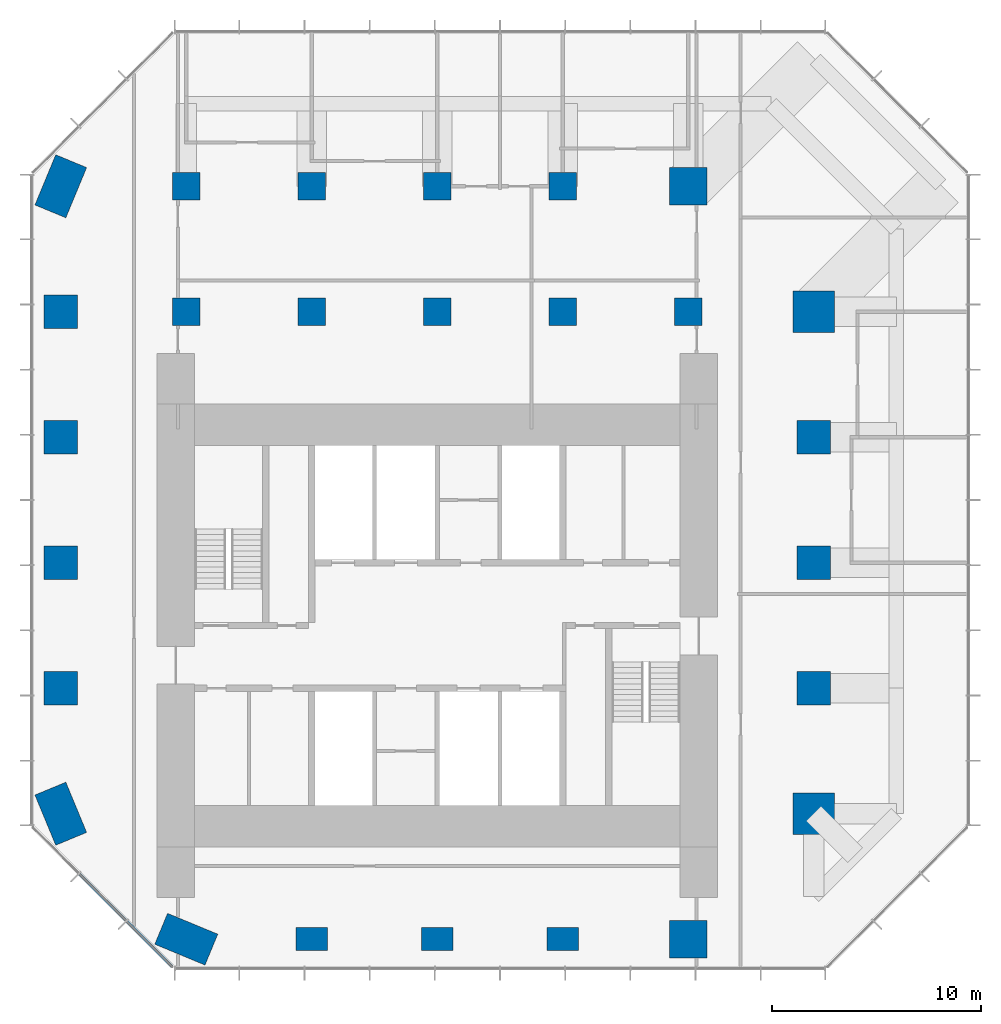
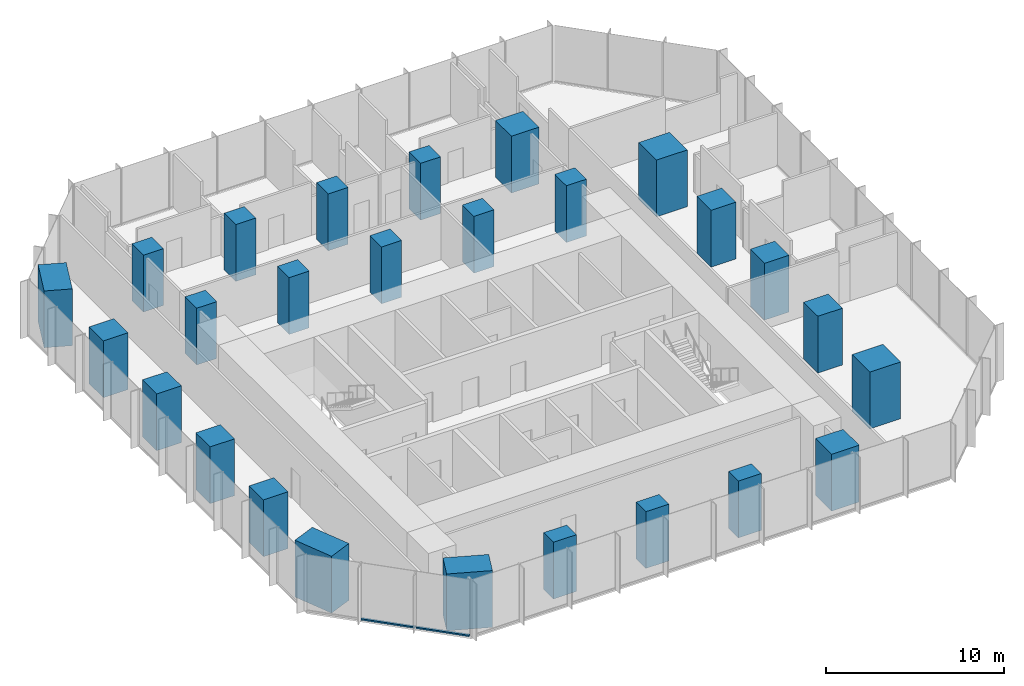
# One storey, part 1 of 11: 26 columns, 2 members, 1 element without a shape of its own.
"""IFC4 building model written with IfcOpenShell, lengths in metres."""

from ifc_helpers import new_model, si_unit, direction, frame, origin, origin_2d, place, context, subcontext, project, spatial, rectangle, extrude, material, layer, layer_set, material_profile, profile_set, type_object, element, aggregate, save


model = new_model("IFC4")

# Units and contexts
model_context = context("Model", 3, precision=1e-05, world=origin(), true_north=direction((0.0, 1.0)))
body_context = subcontext(model_context, "Body", "Model", "MODEL_VIEW")
ifc_project = project(units=[si_unit("LENGTHUNIT", "METRE"), si_unit("AREAUNIT", "SQUARE_METRE"), si_unit("VOLUMEUNIT", "CUBIC_METRE"), si_unit("PLANEANGLEUNIT", "RADIAN"), si_unit("MASSUNIT", "GRAM", prefix="KILO")], contexts=[model_context])

# Site, building, storey
site_placement = place(None, origin())
site = spatial("IfcSite", under=ifc_project, at=site_placement, CompositionType="ELEMENT")
building_placement = place(site_placement, origin())
building = spatial("IfcBuilding", under=site, at=building_placement, Name="Highveld Stack Headquarters", CompositionType="ELEMENT")
storey_placement = place(building_placement, frame((0.0, 0.0, 181.10009765625)))
storey = spatial("IfcBuildingStorey", under=building, at=storey_placement, Name="L44", CompositionType="ELEMENT", Elevation=181.10009765625)

# Columns
ifc_material_1 = material(Name="Concrete C60/75", Category="concrete")
ifc_material_profile_1 = material_profile(ifc_material_1, rectangle(XDim=1.300048828125, YDim=1.300048828125, at=origin_2d()), Name="RC 1300x1300")
ifc_profile_set_1 = profile_set([ifc_material_profile_1], Name="Concrete C60/75")
column_type_1 = type_object("IfcColumnType", Name="COLUMN RC 1300x1300 C60/75", PredefinedType="COLUMN", material=ifc_profile_set_1)
for number, where, z_axis, x_axis, name in (
    (1, (-6.0, 18.0, 0.0), (0.0, 0.0, 1.0), (1.0, 0.0, 0.0), "Column 5/H L44"),
    (2, (-6.0, 24.0, 0.0), (0.0, 0.0, 1.0), (1.0, 0.0, 0.0), "Column 5/J L44"),
    (3, (0.0, 18.0, 0.0), (0.0, 0.0, 1.0), (1.0, 0.0, 0.0), "Column 6/H L44"),
    (4, (0.0, 24.0, 0.0), (0.0, 0.0, 1.0), (1.0, 0.0, 0.0), "Column 6/J L44"),
    (5, (6.0, 18.0, 0.0), (0.0, 0.0, 1.0), (1.0, 0.0, 0.0), "Column 7/H L44"),
    (6, (6.0, 24.0, 0.0), (0.0, 0.0, 1.0), (1.0, 0.0, 0.0), "Column 7/J L44"),
    (7, (12.0, 18.0, 0.0), (0.0, 0.0, 1.0), (1.0, 0.0, 0.0), "Column 8/H L44"),
    (8, (12.0, 24.0, 0.0), (0.0, 0.0, 1.0), (1.0, 0.0, 0.0), "Column 8/J L44"),
    (9, (18.0, 18.0, 0.0), (0.0, 0.0, 1.0), (1.0, 0.0, 0.0), "Column 9/H L44"),
):
    element("IfcColumn", number, at=place(storey_placement, frame(where, z_axis=z_axis, x_axis=x_axis)), inside=storey, type_object=column_type_1, Name=name, PredefinedType="COLUMN", context=body_context, shape_type="SweptSolid", body=[
        extrude(rectangle(XDim=1.300048828125, YDim=1.300048828125, at=origin_2d()), origin(), (0.0, 0.0, 1.0), 3.89990234375),
    ])
ifc_material_2 = material(Name="Concrete C60/75", Category="concrete")
ifc_material_profile_2 = material_profile(ifc_material_2, rectangle(XDim=1.5, YDim=1.10009765625, at=origin_2d()), Name="RC 1500x1100")
ifc_profile_set_2 = profile_set([ifc_material_profile_2], Name="Concrete C60/75")
column_type_2 = type_object("IfcColumnType", Name="COLUMN RC 1500x1100 C60/75", PredefinedType="COLUMN", material=ifc_profile_set_2)
for number, where, z_axis, x_axis, name in (
    (10, (0.0, -12.0, 0.0), (0.0, 0.0, 1.0), (1.0, 0.0, 0.0), "Column 6/C L44"),
    (11, (6.0, -12.0, 0.0), (0.0, 0.0, 1.0), (1.0, 0.0, 0.0), "Column 7/C L44"),
    (12, (12.0, -12.0, 0.0), (0.0, 0.0, 1.0), (1.0, 0.0, 0.0), "Column 8/C L44"),
):
    element("IfcColumn", number, at=place(storey_placement, frame(where, z_axis=z_axis, x_axis=x_axis)), inside=storey, type_object=column_type_2, Name=name, PredefinedType="COLUMN", context=body_context, shape_type="SweptSolid", body=[
        extrude(rectangle(XDim=1.5, YDim=1.10009765625, at=origin_2d()), origin(), (0.0, 0.0, 1.0), 3.89990234375),
    ])
ifc_material_3 = material(Name="Concrete C60/75", Category="concrete")
ifc_material_profile_3 = material_profile(ifc_material_3, rectangle(XDim=1.60009765625, YDim=1.60009765625, at=origin_2d()), Name="RC 1600x1600")
ifc_profile_set_3 = profile_set([ifc_material_profile_3], Name="Concrete C60/75")
column_type_3 = type_object("IfcColumnType", Name="COLUMN RC 1600x1600 C60/75", PredefinedType="COLUMN", material=ifc_profile_set_3)
for number, where, z_axis, x_axis, name in (
    (13, (-12.0, 0.0, 0.0), (0.0, 0.0, 1.0), (1.0, 0.0, 0.0), "Column 4/E L44"),
    (14, (-12.0, 6.0, 0.0), (0.0, 0.0, 1.0), (1.0, 0.0, 0.0), "Column 4/F L44"),
    (15, (-12.0, 12.0, 0.0), (0.0, 0.0, 1.0), (1.0, 0.0, 0.0), "Column 4/G L44"),
    (16, (-12.0, 18.0, 0.0), (0.0, 0.0, 1.0), (1.0, 0.0, 0.0), "Column 4/H L44"),
    (17, (24.0, 0.0, 0.0), (0.0, 0.0, 1.0), (1.0, 0.0, 0.0), "Column 10/E L44"),
    (18, (24.0, 6.0, 0.0), (0.0, 0.0, 1.0), (1.0, 0.0, 0.0), "Column 10/F L44"),
    (19, (24.0, 12.0, 0.0), (0.0, 0.0, 1.0), (1.0, 0.0, 0.0), "Column 10/G L44"),
):
    element("IfcColumn", number, at=place(storey_placement, frame(where, z_axis=z_axis, x_axis=x_axis)), inside=storey, type_object=column_type_3, Name=name, PredefinedType="COLUMN", context=body_context, shape_type="SweptSolid", body=[
        extrude(rectangle(XDim=1.60009765625, YDim=1.60009765625, at=origin_2d()), origin(), (0.0, 0.0, 1.0), 3.89990234375),
    ])
ifc_material_4 = material(Name="Concrete C60/75", Category="concrete")
ifc_material_profile_4 = material_profile(ifc_material_4, rectangle(XDim=1.800048828125, YDim=1.800048828125, at=origin_2d()), Name="RC 1800x1800")
ifc_profile_set_4 = profile_set([ifc_material_profile_4], Name="Concrete C60/75")
column_type_4 = type_object("IfcColumnType", Name="COLUMN RC 1800x1800 C60/75", PredefinedType="COLUMN", material=ifc_profile_set_4)
for number, where, z_axis, x_axis, name in (
    (20, (18.0, -12.0, 0.0), (0.0, 0.0, 1.0), (1.0, 0.0, 0.0), "Column 9/C L44"),
    (21, (18.0, 24.0, 0.0), (0.0, 0.0, 1.0), (1.0, 0.0, 0.0), "Column 9/J L44"),
):
    element("IfcColumn", number, at=place(storey_placement, frame(where, z_axis=z_axis, x_axis=x_axis)), inside=storey, type_object=column_type_4, Name=name, PredefinedType="COLUMN", context=body_context, shape_type="SweptSolid", body=[
        extrude(rectangle(XDim=1.800048828125, YDim=1.800048828125, at=origin_2d()), origin(), (0.0, 0.0, 1.0), 3.89990234375),
    ])
ifc_material_5 = material(Name="Concrete C60/75", Category="concrete")
ifc_material_profile_5 = material_profile(ifc_material_5, rectangle(XDim=2.0, YDim=2.0, at=origin_2d()), Name="RC 2000x2000")
ifc_profile_set_5 = profile_set([ifc_material_profile_5], Name="Concrete C60/75")
column_type_5 = type_object("IfcColumnType", Name="COLUMN RC 2000x2000 C60/75", PredefinedType="COLUMN", material=ifc_profile_set_5)
for number, where, z_axis, x_axis, name in (
    (22, (24.0, -6.0, 0.0), (0.0, 0.0, 1.0), (1.0, 0.0, 0.0), "Column 10/D L44"),
    (23, (24.0, 18.0, 0.0), (0.0, 0.0, 1.0), (1.0, 0.0, 0.0), "Column 10/H L44"),
):
    element("IfcColumn", number, at=place(storey_placement, frame(where, z_axis=z_axis, x_axis=x_axis)), inside=storey, type_object=column_type_5, Name=name, PredefinedType="COLUMN", context=body_context, shape_type="SweptSolid", body=[
        extrude(rectangle(XDim=2.0, YDim=2.0, at=origin_2d()), origin(), (0.0, 0.0, 1.0), 3.89990234375),
    ])
ifc_material_6 = material(Name="Concrete C60/75", Category="concrete")
ifc_material_profile_6 = material_profile(ifc_material_6, rectangle(XDim=2.60009765625, YDim=1.60009765625, at=origin_2d()), Name="RC 2600x1600")
ifc_profile_set_6 = profile_set([ifc_material_profile_6], Name="Concrete C60/75")
column_type_6 = type_object("IfcColumnType", Name="COLUMN RC 2600x1600 C60/75", PredefinedType="COLUMN", material=ifc_profile_set_6)
for number, where, z_axis, x_axis, name in (
    (24, (-12.0, -6.0, 0.0), (0.0, 0.0, 1.0), (-0.382683432365, 0.923879532511, 0.0), "Column 4/D L44"),
    (25, (-12.0, 24.0, 0.0), (0.0, 0.0, 1.0), (0.382683432365, 0.923879532511, 0.0), "Column 4/J L44"),
    (26, (-6.0, -12.0, 0.0), (0.0, 0.0, 1.0), (-0.923879532511, 0.382683432365, 0.0), "Column 5/C L44"),
):
    element("IfcColumn", number, at=place(storey_placement, frame(where, z_axis=z_axis, x_axis=x_axis)), inside=storey, type_object=column_type_6, Name=name, PredefinedType="COLUMN", context=body_context, shape_type="SweptSolid", body=[
        extrude(rectangle(XDim=2.60009765625, YDim=1.60009765625, at=origin_2d()), origin(), (0.0, 0.0, 1.0), 3.89990234375),
    ])

# Curtain wall, members
ifc_material_7 = material(Name="Aluminium bronze anodised", Category="aluminium")
ifc_layer = layer(ifc_material_7, 0.199951171875)
ifc_layer_set = layer_set([ifc_layer], Name="Aluminium bronze anodised")
curtain_wall_type = type_object("IfcCurtainWallType", Name="CW2 TOWER CHAMFER UNITISED CURTAIN WALL", PredefinedType="NOTDEFINED", material=ifc_layer_set)
curtain_wall_placement = place(storey_placement, origin())
curtain_wall = element("IfcCurtainWall", 27, at=curtain_wall_placement, inside=storey, type_object=curtain_wall_type, Name="Curtain wall CW2 L44 SW", PredefinedType="NOTDEFINED")
ifc_material_8 = material(Name="Aluminium bronze anodised", Category="aluminium")
ifc_material_profile_7 = material_profile(ifc_material_8, rectangle(XDim=0.14990234375, YDim=0.10009765625, at=origin_2d()), Name="CW2 TRANSOM 150x100")
ifc_profile_set_7 = profile_set([ifc_material_profile_7], Name="Aluminium bronze anodised")
member_type = type_object("IfcMemberType", Name="CW2 STACK TRANSOM 150x100", PredefinedType="USERDEFINED", material=ifc_profile_set_7)
member_1_placement = place(storey_placement, frame((-11.103759765625, -8.876220703125, 0.0498046875), z_axis=(0.707106781187, -0.707106781187, 0.0), x_axis=(0.707106781187, 0.707106781187, 0.0)))
member_1 = element("IfcMember", 28, at=member_1_placement, type_object=member_type, Name="CW2 transom L44 2.1", ObjectType="TRANSOM", PredefinedType="USERDEFINED", context=body_context, shape_type="SweptSolid", body=[
    extrude(rectangle(XDim=0.14990234375, YDim=0.10009765625, at=origin_2d()), origin(), (0.0, 0.0, 1.0), 3.150146484375),
])
member_2_placement = place(storey_placement, frame((-8.830322265625, -11.149658203125, 0.0498046875), z_axis=(0.707106781187, -0.707106781187, 0.0), x_axis=(0.707106781187, 0.707106781187, 0.0)))
member_2 = element("IfcMember", 29, at=member_2_placement, type_object=member_type, Name="CW2 transom L44 3.1", ObjectType="TRANSOM", PredefinedType="USERDEFINED", context=body_context, shape_type="SweptSolid", body=[
    extrude(rectangle(XDim=0.14990234375, YDim=0.10009765625, at=origin_2d()), origin(), (0.0, 0.0, 1.0), 3.08251953125),
])
aggregate(curtain_wall, [member_1, member_2])

save(model, "model.ifc")
